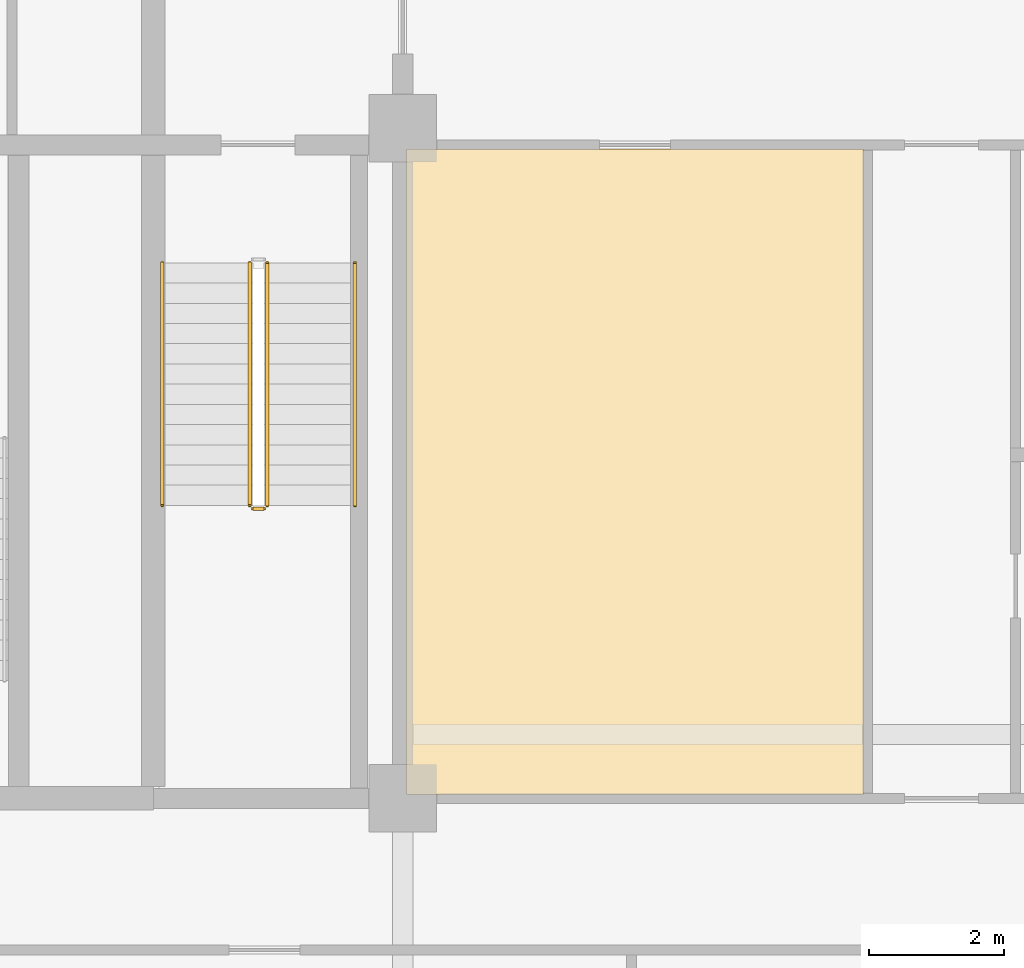
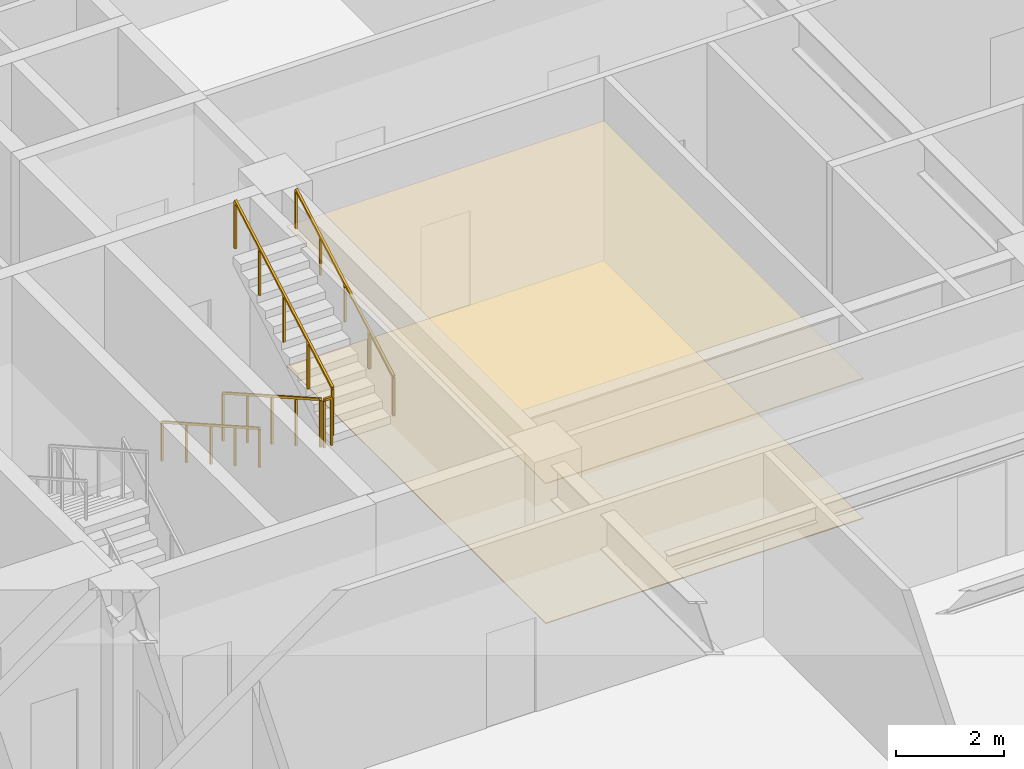
# One storey, part 16 of 21: 5 railings, 2 coverings.
"""IFC4 building model written with IfcOpenShell, lengths in metres."""

from ifc_helpers import new_model, si_unit, direction, frame, origin, origin_2d, place, context, subcontext, project, spatial, polyline, rectangle, outline, extrude, material, layer, layer_set, type_object, element, save


model = new_model("IFC4")

# Units and contexts
model_context = context("Model", 3, precision=1e-05, world=origin(), true_north=direction((0.0, 1.0)))
body_context = subcontext(model_context, "Body", "Model", "MODEL_VIEW")
ifc_project = project(units=[si_unit("LENGTHUNIT", "METRE"), si_unit("AREAUNIT", "SQUARE_METRE"), si_unit("VOLUMEUNIT", "CUBIC_METRE"), si_unit("PLANEANGLEUNIT", "RADIAN"), si_unit("MASSUNIT", "GRAM", prefix="KILO")], contexts=[model_context])

# Site, building, storey
site_placement = place(None, origin())
site = spatial("IfcSite", under=ifc_project, at=site_placement, CompositionType="ELEMENT")
building_placement = place(site_placement, origin())
building = spatial("IfcBuilding", under=site, at=building_placement, Name="Zulmaris Gate Convention Tower", CompositionType="ELEMENT")
storey_placement = place(building_placement, frame((0.0, 0.0, 86.93994140625)))
storey = spatial("IfcBuildingStorey", under=building, at=storey_placement, Name="L21", CompositionType="ELEMENT", Elevation=86.93994140625)

# Coverings
ifc_material_1 = material(Name="Mineral Fibre Acoustic Ceiling Tile")
ifc_layer_1 = layer(ifc_material_1, 0.02001953125, Name="Mineral Fibre Acoustic Ceiling Tile")
ifc_layer_set_1 = layer_set([ifc_layer_1], Name="Mineral Fibre Acoustic Ceiling Tile")
covering_type_1 = type_object("IfcCoveringType", Name="CLG-ACOUSTIC-600", PredefinedType="CEILING", material=ifc_layer_set_1)
covering_1_placement = place(storey_placement, frame((0.0, 0.0, 3.153076171875)))
element("IfcCovering", 1, at=covering_1_placement, inside=storey, type_object=covering_type_1, Name="CLG-L21-R52", PredefinedType="CEILING", context=body_context, shape_type="SweptSolid", body=[
    extrude(outline(polyline([(-10.93994140625, -9.889892578125), (-4.159912109375, -9.889892578125), (-4.159912109375, -0.31005859375), (-10.93994140625, -0.31005859375), (-10.93994140625, -9.889892578125)])), origin(), (0.0, 0.0, 1.0), 0.019775390625),
])
ifc_material_2 = material(Name="Woven Acoustic Wool Carpet Tile")
ifc_layer_2 = layer(ifc_material_2, 0.02001953125, Name="Woven Acoustic Wool Carpet Tile")
ifc_layer_set_2 = layer_set([ifc_layer_2], Name="Woven Acoustic Wool Carpet Tile")
covering_type_2 = type_object("IfcCoveringType", Name="FLR-CARPET-12", PredefinedType="FLOORING", material=ifc_layer_set_2)
covering_2_placement = place(storey_placement, origin())
element("IfcCovering", 2, at=covering_2_placement, inside=storey, type_object=covering_type_2, Name="FLR-L21-R52", PredefinedType="FLOORING", context=body_context, shape_type="SweptSolid", body=[
    extrude(outline(polyline([(-10.93994140625, -9.889892578125), (-4.159912109375, -9.889892578125), (-4.159912109375, -0.31005859375), (-10.93994140625, -0.31005859375), (-10.93994140625, -9.889892578125)])), origin(), (0.0, 0.0, 1.0), 0.02001953125),
])

# Railings
ifc_material_3 = material(Name="Painted Galvanised Steel", Category="steel")
railing_type_1 = type_object("IfcRailingType", Name="RL-STG-1150", PredefinedType="GUARDRAIL", material=ifc_material_3)
railing_1_placement = place(storey_placement, frame((-13.27001953125, -2.0, 0.169921875)))
element("IfcRailing", 3, at=railing_1_placement, inside=storey, type_object=railing_type_1, Name="L21 ST-1 stair guard 1", PredefinedType="GUARDRAIL", context=body_context, shape_type="SweptSolid", body=[
    extrude(rectangle(XDim=0.048095703125, YDim=0.048095703125, at=origin_2d()), frame((0.0, 0.0, 1.076171875), z_axis=(0.0, -0.870023872995, 0.493009594652), x_axis=(1.0, 0.0, 0.0)), (0.0, 0.0, 1.0), 4.137939453125),
    extrude(rectangle(XDim=0.0419921875, YDim=0.0419921875, at=origin_2d()), origin(), (0.0, 0.0, 1.0), 1.052001953125),
    extrude(rectangle(XDim=0.0419921875, YDim=0.0419921875, at=origin_2d()), frame((0.0, -0.89990234375, 0.510009765625)), (0.0, 0.0, 1.0), 1.052001953125),
    extrude(rectangle(XDim=0.0419921875, YDim=0.0419921875, at=origin_2d()), frame((0.0, -1.800048828125, 1.02001953125)), (0.0, 0.0, 1.0), 1.052001953125),
    extrude(rectangle(XDim=0.0419921875, YDim=0.0419921875, at=origin_2d()), frame((0.0, -2.7001953125, 1.530029296875)), (0.0, 0.0, 1.0), 1.052001953125),
    extrude(rectangle(XDim=0.0419921875, YDim=0.0419921875, at=origin_2d()), frame((0.0, -3.60009765625, 2.0400390625)), (0.0, 0.0, 1.0), 1.052001953125),
])
railing_2_placement = place(storey_placement, frame((-13.219970703125, -5.64990234375, 2.2099609375)))
element("IfcRailing", 4, at=railing_2_placement, inside=storey, type_object=railing_type_1, Name="L21 ST-1 stair guard 2", PredefinedType="GUARDRAIL", context=body_context, shape_type="SweptSolid", body=[
    extrude(rectangle(XDim=0.048095703125, YDim=0.048095703125, at=origin_2d()), frame((0.0, 0.0, 1.076171875), z_axis=(1.0, 0.0, 0.0), x_axis=(0.0, 1.0, 0.0)), (0.0, 0.0, 1.0), 0.159912109375),
    extrude(rectangle(XDim=0.0419921875, YDim=0.0419921875, at=origin_2d()), origin(), (0.0, 0.0, 1.0), 1.052001953125),
    extrude(rectangle(XDim=0.0419921875, YDim=0.0419921875, at=origin_2d()), frame((0.159912109375, 0.0, 0.0)), (0.0, 0.0, 1.0), 1.052001953125),
])
railing_3_placement = place(storey_placement, frame((-13.010009765625, -5.60009765625, 2.3798828125)))
element("IfcRailing", 5, at=railing_3_placement, inside=storey, type_object=railing_type_1, Name="L21 ST-1 stair guard 3", PredefinedType="GUARDRAIL", context=body_context, shape_type="SweptSolid", body=[
    extrude(rectangle(XDim=0.048095703125, YDim=0.048095703125, at=origin_2d()), frame((0.0, 0.0, 1.076171875), z_axis=(0.0, 0.870023872995, 0.493009594652), x_axis=(-1.0, 0.0, 0.0)), (0.0, 0.0, 1.0), 4.137939453125),
    extrude(rectangle(XDim=0.0419921875, YDim=0.0419921875, at=origin_2d()), origin(), (0.0, 0.0, 1.0), 1.052001953125),
    extrude(rectangle(XDim=0.0419921875, YDim=0.0419921875, at=origin_2d()), frame((0.0, 0.89990234375, 0.510009765625)), (0.0, 0.0, 1.0), 1.052001953125),
    extrude(rectangle(XDim=0.0419921875, YDim=0.0419921875, at=origin_2d()), frame((0.0, 1.800048828125, 1.02001953125)), (0.0, 0.0, 1.0), 1.052001953125),
    extrude(rectangle(XDim=0.0419921875, YDim=0.0419921875, at=origin_2d()), frame((0.0, 2.7001953125, 1.530029296875)), (0.0, 0.0, 1.0), 1.052001953125),
    extrude(rectangle(XDim=0.0419921875, YDim=0.0419921875, at=origin_2d()), frame((0.0, 3.60009765625, 2.0400390625)), (0.0, 0.0, 1.0), 1.052001953125),
])
ifc_material_4 = material(Name="Brushed Stainless Steel", Category="steel")
railing_type_2 = type_object("IfcRailingType", Name="RL-STH-900", PredefinedType="HANDRAIL", material=ifc_material_4)
railing_4_placement = place(storey_placement, frame((-14.570068359375, -2.0, 0.169921875)))
element("IfcRailing", 6, at=railing_4_placement, inside=storey, type_object=railing_type_2, Name="L21 ST-1 stair handrail 1", PredefinedType="HANDRAIL", context=body_context, shape_type="SweptSolid", body=[
    extrude(rectangle(XDim=0.048095703125, YDim=0.048095703125, at=origin_2d()), frame((0.0, 0.0, 0.8759765625), z_axis=(0.0, -0.870023872995, 0.493009594652), x_axis=(1.0, 0.0, 0.0)), (0.0, 0.0, 1.0), 4.137939453125),
    extrude(rectangle(XDim=0.0419921875, YDim=0.0419921875, at=origin_2d()), origin(), (0.0, 0.0, 1.0), 0.851806640625),
    extrude(rectangle(XDim=0.0419921875, YDim=0.0419921875, at=origin_2d()), frame((0.0, -0.89990234375, 0.510009765625)), (0.0, 0.0, 1.0), 0.851806640625),
    extrude(rectangle(XDim=0.0419921875, YDim=0.0419921875, at=origin_2d()), frame((0.0, -1.800048828125, 1.02001953125)), (0.0, 0.0, 1.0), 0.851806640625),
    extrude(rectangle(XDim=0.0419921875, YDim=0.0419921875, at=origin_2d()), frame((0.0, -2.7001953125, 1.530029296875)), (0.0, 0.0, 1.0), 0.851806640625),
    extrude(rectangle(XDim=0.0419921875, YDim=0.0419921875, at=origin_2d()), frame((0.0, -3.60009765625, 2.0400390625)), (0.0, 0.0, 1.0), 0.851806640625),
])
railing_5_placement = place(storey_placement, frame((-11.7099609375, -5.60009765625, 2.3798828125)))
element("IfcRailing", 7, at=railing_5_placement, inside=storey, type_object=railing_type_2, Name="L21 ST-1 stair handrail 2", PredefinedType="HANDRAIL", context=body_context, shape_type="SweptSolid", body=[
    extrude(rectangle(XDim=0.048095703125, YDim=0.048095703125, at=origin_2d()), frame((0.0, 0.0, 0.8759765625), z_axis=(0.0, 0.870023872995, 0.493009594652), x_axis=(-1.0, 0.0, 0.0)), (0.0, 0.0, 1.0), 4.137939453125),
    extrude(rectangle(XDim=0.0419921875, YDim=0.0419921875, at=origin_2d()), origin(), (0.0, 0.0, 1.0), 0.851806640625),
    extrude(rectangle(XDim=0.0419921875, YDim=0.0419921875, at=origin_2d()), frame((0.0, 0.89990234375, 0.510009765625)), (0.0, 0.0, 1.0), 0.851806640625),
    extrude(rectangle(XDim=0.0419921875, YDim=0.0419921875, at=origin_2d()), frame((0.0, 1.800048828125, 1.02001953125)), (0.0, 0.0, 1.0), 0.851806640625),
    extrude(rectangle(XDim=0.0419921875, YDim=0.0419921875, at=origin_2d()), frame((0.0, 2.7001953125, 1.530029296875)), (0.0, 0.0, 1.0), 0.851806640625),
    extrude(rectangle(XDim=0.0419921875, YDim=0.0419921875, at=origin_2d()), frame((0.0, 3.60009765625, 2.0400390625)), (0.0, 0.0, 1.0), 0.851806640625),
])

save(model, "model.ifc")
